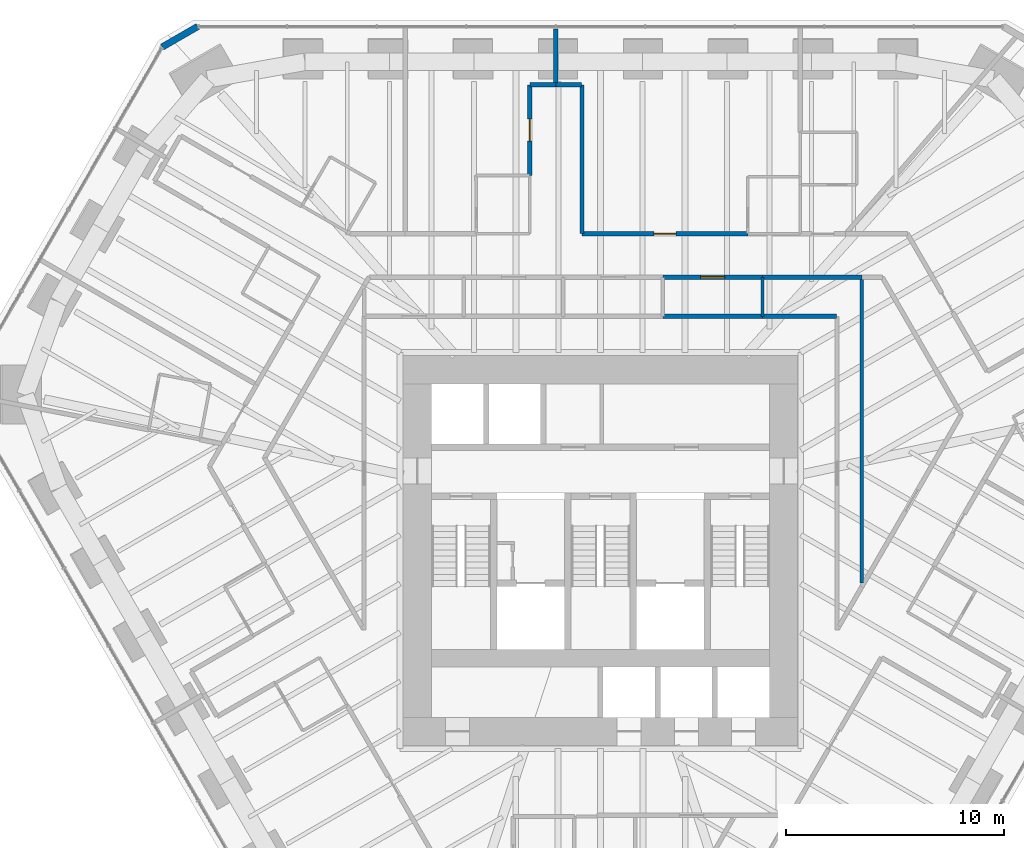
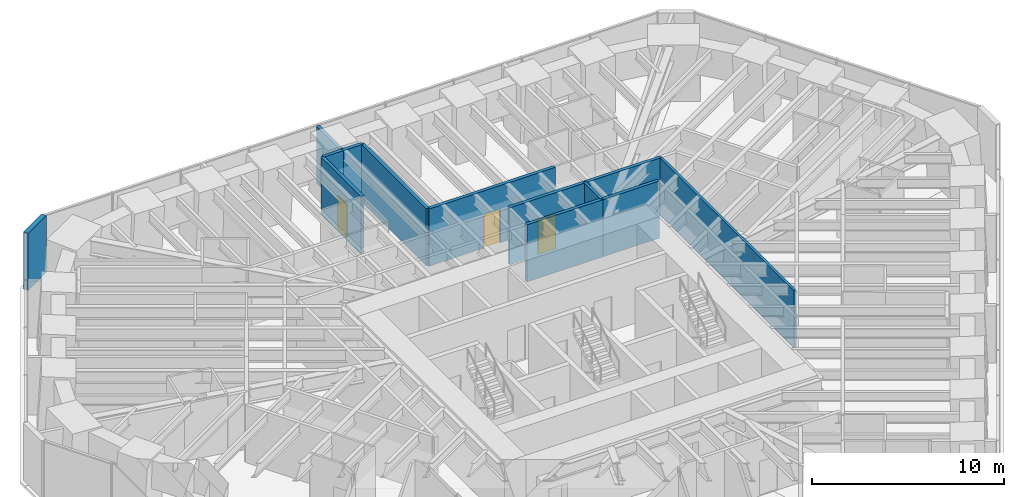
# One storey, part 15 of 18: 13 walls, 3 doors, 3 openings.
"""IFC4 building model written with IfcOpenShell, lengths in metres."""

from ifc_helpers import new_model, si_unit, direction, frame, frame_2d, origin, place, context, subcontext, project, spatial, rectangle, extrude, material, layer, layer_set, type_object, element, fill, save


model = new_model("IFC4")

# Units and contexts
model_context = context("Model", 3, precision=1e-05, world=origin(), true_north=direction((0.0, 1.0)))
body_context = subcontext(model_context, "Body", "Model", "MODEL_VIEW")
ifc_project = project(units=[si_unit("LENGTHUNIT", "METRE"), si_unit("AREAUNIT", "SQUARE_METRE"), si_unit("VOLUMEUNIT", "CUBIC_METRE"), si_unit("PLANEANGLEUNIT", "RADIAN"), si_unit("MASSUNIT", "GRAM", prefix="KILO")], contexts=[model_context])

# Site, building, storey
site_placement = place(None, origin())
site = spatial("IfcSite", under=ifc_project, at=site_placement, CompositionType="ELEMENT")
building_placement = place(site_placement, origin())
building = spatial("IfcBuilding", under=site, at=building_placement, Name="Sandreach Pilgrim Tower", CompositionType="ELEMENT")
storey_placement = place(building_placement, frame((0.0, 0.0, 153.800048828125)))
storey = spatial("IfcBuildingStorey", under=building, at=storey_placement, Name="L38", CompositionType="ELEMENT", Elevation=153.800048828125)

# Walls
ifc_material_1 = material(Name="Gypsum board on steel studs", Category="steel")
ifc_layer_1 = layer(ifc_material_1, 0.14990234375)
ifc_layer_set_1 = layer_set([ifc_layer_1], Name="Back of house wall 150")
wall_type_1 = type_object("IfcWallType", Name="Back of house wall 150", PredefinedType="PARTITIONING", material=ifc_layer_set_1)
wall_1_placement = place(storey_placement, frame((7.429931640625, 10.989990234375, 0.0), z_axis=(0.0, 0.0, 1.0), x_axis=(0.0, -1.0, 0.0)))
element("IfcWall", 1, at=wall_1_placement, inside=storey, type_object=wall_type_1, Name="Back of house wall L38-101", PredefinedType="PARTITIONING", context=body_context, shape_type="SweptSolid", body=[
    extrude(rectangle(XDim=1.7900390625, YDim=0.14990234375, at=frame_2d((0.89501953125, 0.0))), origin(), (0.0, 0.0, 1.0), 3.639892578125),
])
wall_2_placement = place(storey_placement, frame((11.989990234375, 10.989990234375, 0.0), z_axis=(0.0, 0.0, 1.0), x_axis=(0.0, -1.0, 0.0)))
element("IfcWall", 2, at=wall_2_placement, inside=storey, type_object=wall_type_1, Name="Back of house wall L38-127", PredefinedType="PARTITIONING", context=body_context, shape_type="SweptSolid", body=[
    extrude(rectangle(XDim=14.034912109375, YDim=0.14990234375, at=frame_2d((7.017578125, 0.0))), origin(), (0.0, 0.0, 1.0), 3.639892578125),
])

# Wall, opening, door
ifc_material_2 = material(Name="Gypsum board on steel studs, two layers each side", Category="steel")
ifc_layer_2 = layer(ifc_material_2, 0.199951171875)
ifc_layer_set_2 = layer_set([ifc_layer_2], Name="Corridor wall 200")
wall_type_2 = type_object("IfcWallType", Name="Corridor wall 200", PredefinedType="PARTITIONING", material=ifc_layer_set_2)
wall_3_placement = place(storey_placement, frame((-3.25, 19.820068359375, 0.0), z_axis=(0.0, 0.0, 1.0), x_axis=(0.0, -1.0, 0.0)))
wall_3 = element("IfcWall", 3, at=wall_3_placement, inside=storey, type_object=wall_type_2, Name="Corridor wall L38-069", PredefinedType="PARTITIONING", context=body_context, shape_type="SweptSolid", body=[
    extrude(rectangle(XDim=4.16015625, YDim=0.199951171875, at=frame_2d((2.080078125, 0.0))), origin(), (0.0, 0.0, 1.0), 3.639892578125),
])
opening_1_placement = place(wall_3_placement, frame((1.580078125, 0.0, 0.0)))
opening_1 = element("IfcOpeningElement", 4, at=opening_1_placement, cuts=wall_3, Name="Opening D10-02", PredefinedType="OPENING", context=body_context, shape_type="SweptSolid", body=[
    extrude(rectangle(XDim=1.0, YDim=2.1298828125, at=frame_2d((0.5, 1.06494140625))), frame((0.0, 0.10009765625, 0.0), z_axis=(0.0, -1.0, 0.0), x_axis=(1.0, 0.0, 0.0)), (0.0, 0.0, 1.0), 0.199951171875),
])
ifc_material_3 = material(Name="Steel door and frame", Category="steel")
door_type_1 = type_object("IfcDoorType", Name="Guest room entry door", OperationType="SINGLE_SWING_LEFT", PredefinedType="DOOR", material=ifc_material_3)
door_1_placement = place(opening_1_placement, origin())
door_1 = element("IfcDoor", 5, at=door_1_placement, inside=storey, type_object=door_type_1, Name="Door 3802", OperationType="SINGLE_SWING_LEFT", OverallHeight=2.1298828125, OverallWidth=1.0, PredefinedType="DOOR", context=body_context, shape_type="SweptSolid", body=[
    extrude(rectangle(XDim=1.0, YDim=2.1298828125, at=frame_2d((0.5, 1.06494140625))), frame((0.0, 0.02490234375, 0.0), z_axis=(0.0, -1.0, 0.0), x_axis=(1.0, 0.0, 0.0)), (0.0, 0.0, 1.0), 0.050048828125),
])
fill(opening_1, door_1)

# Walls
for number, where, z_axis, x_axis, name in (
    (6, (-2.050048828125, 19.820068359375, 0.0), (0.0, 0.0, 1.0), (-1.0, 0.0, 0.0), "Corridor wall L38-072"),
    (7, (-0.864990234375, 19.820068359375, 0.0), (0.0, 0.0, 1.0), (-1.0, 0.0, 0.0), "Corridor wall L38-080"),
):
    element("IfcWall", number, at=place(storey_placement, frame(where, z_axis=z_axis, x_axis=x_axis)), inside=storey, type_object=wall_type_2, Name=name, PredefinedType="PARTITIONING", context=body_context, shape_type="SweptSolid", body=[
        extrude(rectangle(XDim=1.18505859375, YDim=0.199951171875, at=frame_2d((0.592529296875, 0.0))), origin(), (0.0, 0.0, 1.0), 3.639892578125),
    ])
wall_4_placement = place(storey_placement, frame((-0.85009765625, 13.0, 0.0), z_axis=(0.0, 0.0, 1.0), x_axis=(0.0, 1.0, 0.0)))
element("IfcWall", 8, at=wall_4_placement, inside=storey, type_object=wall_type_2, Name="Corridor wall L38-081", PredefinedType="PARTITIONING", context=body_context, shape_type="SweptSolid", body=[
    extrude(rectangle(XDim=6.820068359375, YDim=0.199951171875, at=frame_2d((3.41015625, 0.0))), origin(), (0.0, 0.0, 1.0), 3.639892578125),
])

# Wall, opening, door
wall_5_placement = place(storey_placement, frame((2.860107421875, 10.989990234375, 0.0), z_axis=(0.0, 0.0, 1.0), x_axis=(1.0, 0.0, 0.0)))
wall_5 = element("IfcWall", 9, at=wall_5_placement, inside=storey, type_object=wall_type_2, Name="Corridor wall L38-086", PredefinedType="PARTITIONING", context=body_context, shape_type="SweptSolid", body=[
    extrude(rectangle(XDim=4.56982421875, YDim=0.199951171875, at=frame_2d((2.284912109375, 0.0))), origin(), (0.0, 0.0, 1.0), 3.639892578125),
])
opening_2_placement = place(wall_5_placement, frame((1.735107421875, 0.0, 0.0)))
opening_2 = element("IfcOpeningElement", 10, at=opening_2_placement, cuts=wall_5, Name="Opening D11H-M05", PredefinedType="OPENING", context=body_context, shape_type="SweptSolid", body=[
    extrude(rectangle(XDim=1.10009765625, YDim=2.199951171875, at=frame_2d((0.550048828125, 1.10009765625))), frame((0.0, 0.10009765625, 0.0), z_axis=(0.0, -1.0, 0.0), x_axis=(1.0, 0.0, 0.0)), (0.0, 0.0, 1.0), 0.199951171875),
])
ifc_material_4 = material(Name="Steel door and frame", Category="steel")
door_type_2 = type_object("IfcDoorType", Name="Back of house door", OperationType="SINGLE_SWING_LEFT", PredefinedType="DOOR", material=ifc_material_4)
door_2_placement = place(opening_2_placement, origin())
door_2 = element("IfcDoor", 11, at=door_2_placement, inside=storey, type_object=door_type_2, Name="Door 38M05", OperationType="SINGLE_SWING_LEFT", OverallHeight=2.199951171875, OverallWidth=1.10009765625, PredefinedType="DOOR", context=body_context, shape_type="SweptSolid", body=[
    extrude(rectangle(XDim=1.10009765625, YDim=2.199951171875, at=frame_2d((0.550048828125, 1.10009765625))), frame((0.0, 0.02490234375, 0.0), z_axis=(0.0, -1.0, 0.0), x_axis=(1.0, 0.0, 0.0)), (0.0, 0.0, 1.0), 0.050048828125),
])
fill(opening_2, door_2)

wall_6_placement = place(storey_placement, frame((6.760009765625, 12.989990234375, 0.0), z_axis=(0.0, 0.0, 1.0), x_axis=(-1.0, 0.0, 0.0)))
wall_6 = element("IfcWall", 12, at=wall_6_placement, inside=storey, type_object=wall_type_2, Name="Corridor wall L38-094", PredefinedType="PARTITIONING", context=body_context, shape_type="SweptSolid", body=[
    extrude(rectangle(XDim=7.610107421875, YDim=0.199951171875, at=frame_2d((3.80517578125, 0.0))), origin(), (0.0, 0.0, 1.0), 3.639892578125),
])
opening_3_placement = place(wall_6_placement, frame((3.304931640625, 0.0, 0.0)))
opening_3 = element("IfcOpeningElement", 13, at=opening_3_placement, cuts=wall_6, Name="Opening D10-03", PredefinedType="OPENING", context=body_context, shape_type="SweptSolid", body=[
    extrude(rectangle(XDim=1.0, YDim=2.1298828125, at=frame_2d((0.5, 1.06494140625))), frame((0.0, 0.10009765625, 0.0), z_axis=(0.0, -1.0, 0.0), x_axis=(1.0, 0.0, 0.0)), (0.0, 0.0, 1.0), 0.199951171875),
])
door_3_placement = place(opening_3_placement, origin())
door_3 = element("IfcDoor", 14, at=door_3_placement, inside=storey, type_object=door_type_1, Name="Door 3803", OperationType="SINGLE_SWING_LEFT", OverallHeight=2.1298828125, OverallWidth=1.0, PredefinedType="DOOR", context=body_context, shape_type="SweptSolid", body=[
    extrude(rectangle(XDim=1.0, YDim=2.1298828125, at=frame_2d((0.5, 1.06494140625))), frame((0.0, 0.02490234375, 0.0), z_axis=(0.0, -1.0, 0.0), x_axis=(1.0, 0.0, 0.0)), (0.0, 0.0, 1.0), 0.050048828125),
])
fill(opening_3, door_3)

# Walls
wall_7_placement = place(storey_placement, frame((7.429931640625, 9.199951171875, 0.0), z_axis=(0.0, 0.0, 1.0), x_axis=(-1.0, 0.0, 0.0)))
element("IfcWall", 15, at=wall_7_placement, inside=storey, type_object=wall_type_2, Name="Corridor wall L38-100", PredefinedType="PARTITIONING", context=body_context, shape_type="SweptSolid", body=[
    extrude(rectangle(XDim=4.56982421875, YDim=0.199951171875, at=frame_2d((2.284912109375, 0.0))), origin(), (0.0, 0.0, 1.0), 3.639892578125),
])
wall_8_placement = place(storey_placement, frame((7.429931640625, 10.989990234375, 0.0), z_axis=(0.0, 0.0, 1.0), x_axis=(1.0, 0.0, 0.0)))
element("IfcWall", 16, at=wall_8_placement, inside=storey, type_object=wall_type_2, Name="Corridor wall L38-102", PredefinedType="PARTITIONING", context=body_context, shape_type="SweptSolid", body=[
    extrude(rectangle(XDim=4.56005859375, YDim=0.199951171875, at=frame_2d((2.280029296875, 0.0))), origin(), (0.0, 0.0, 1.0), 3.639892578125),
])
wall_9_placement = place(storey_placement, frame((10.840087890625, 9.199951171875, 0.0), z_axis=(0.0, 0.0, 1.0), x_axis=(-1.0, 0.0, 0.0)))
element("IfcWall", 17, at=wall_9_placement, inside=storey, type_object=wall_type_2, Name="Corridor wall L38-120", PredefinedType="PARTITIONING", context=body_context, shape_type="SweptSolid", body=[
    extrude(rectangle(XDim=3.41015625, YDim=0.199951171875, at=frame_2d((1.705078125, 0.0))), origin(), (0.0, 0.0, 1.0), 3.639892578125),
])
ifc_material_5 = material(Name="Double steel stud acoustic wall, gypsum board", Category="steel")
ifc_layer_3 = layer(ifc_material_5, 0.199951171875)
ifc_layer_set_3 = layer_set([ifc_layer_3], Name="Party wall 200")
wall_type_3 = type_object("IfcWallType", Name="Party wall 200", PredefinedType="PARTITIONING", material=ifc_layer_set_3)
wall_10_placement = place(storey_placement, frame((-2.050048828125, 22.3701171875, 0.0), z_axis=(0.0, 0.0, 1.0), x_axis=(0.0, -1.0, 0.0)))
element("IfcWall", 18, at=wall_10_placement, inside=storey, type_object=wall_type_3, Name="Party wall L38-073", PredefinedType="PARTITIONING", context=body_context, shape_type="SweptSolid", body=[
    extrude(rectangle(XDim=2.5400390625, YDim=0.199951171875, at=frame_2d((1.27001953125, 0.0))), origin(), (0.0, 0.0, 1.0), 3.639892578125),
])
ifc_material_6 = material(Name="Terracotta rainscreen on concrete", Category="masonry")
ifc_layer_4 = layer(ifc_material_6, 0.300048828125)
ifc_layer_set_4 = layer_set([ifc_layer_4], Name="Terracotta chamfer pier")
wall_type_4 = type_object("IfcWallType", Name="Terracotta chamfer pier", PredefinedType="SOLIDWALL", material=ifc_layer_set_4)
wall_11_placement = place(storey_placement, frame((-20.109619140625, 21.5537109375, 0.0), z_axis=(0.0, 0.0, 1.0), x_axis=(0.865988793993, 0.500063404658, 0.0)))
element("IfcWall", 19, at=wall_11_placement, inside=storey, type_object=wall_type_4, Name="Chamfer pier L38 NW", PredefinedType="SOLIDWALL", context=body_context, shape_type="SweptSolid", body=[
    extrude(rectangle(XDim=1.880126953125, YDim=0.300048828125, at=frame_2d((0.93994140625, 0.0))), origin(), (0.0, 0.0, 1.0), 3.639892578125),
])

save(model, "model.ifc")
